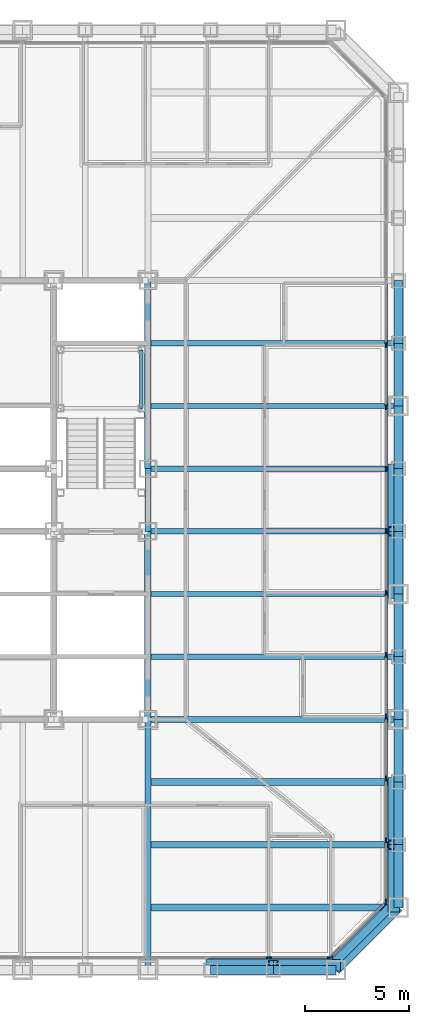
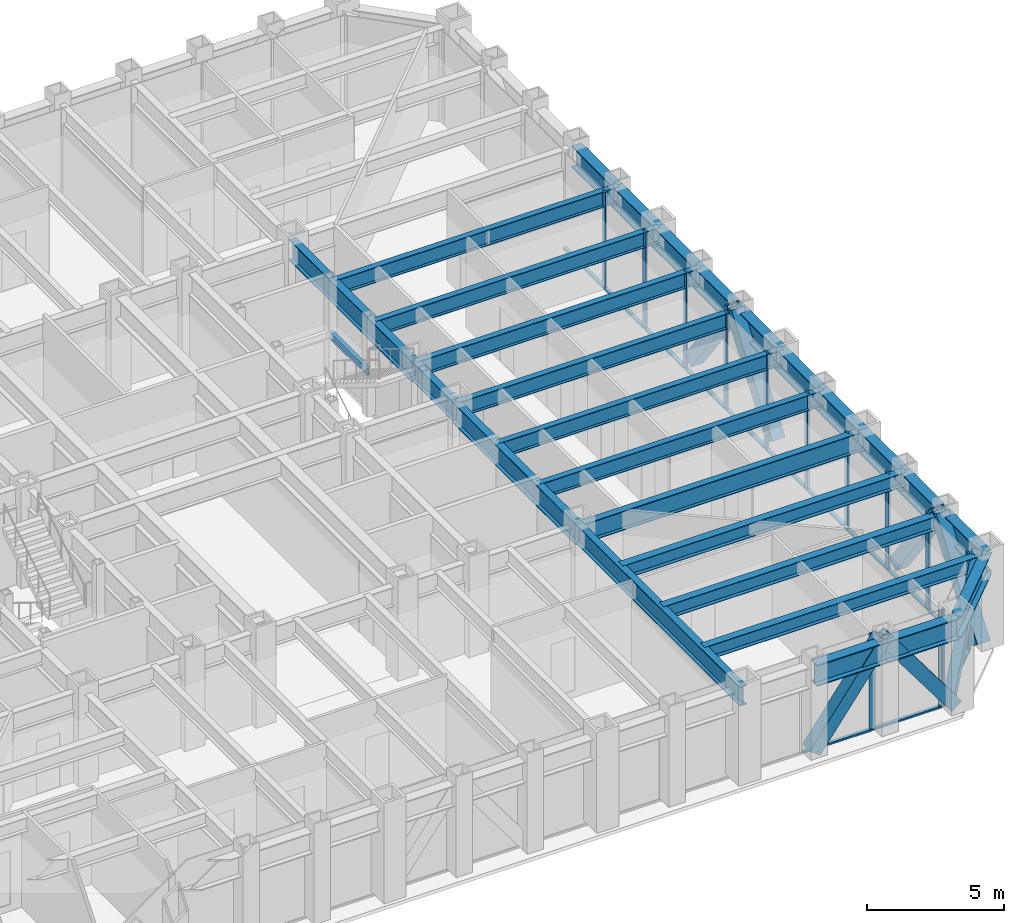
# One storey, part 4 of 17: 34 members, 28 beams, 3 elements without a shape of their own.
"""IFC4 building model written with IfcOpenShell, lengths in metres."""

from ifc_helpers import new_model, si_unit, direction, frame, origin, origin_2d, place, context, subcontext, project, spatial, rectangle, hollow_rectangle, i_section, extrude, material, layer, layer_set, material_profile, profile_set, type_object, element, aggregate, save


model = new_model("IFC4")

# Units and contexts
model_context = context("Model", 3, precision=1e-05, world=origin(), true_north=direction((0.0, 1.0)))
body_context = subcontext(model_context, "Body", "Model", "MODEL_VIEW")
ifc_project = project(units=[si_unit("LENGTHUNIT", "METRE"), si_unit("AREAUNIT", "SQUARE_METRE"), si_unit("VOLUMEUNIT", "CUBIC_METRE"), si_unit("PLANEANGLEUNIT", "RADIAN"), si_unit("MASSUNIT", "GRAM", prefix="KILO")], contexts=[model_context])

# Site, building, storey
site_placement = place(None, origin())
site = spatial("IfcSite", under=ifc_project, at=site_placement, CompositionType="ELEMENT")
building_placement = place(site_placement, origin())
building = spatial("IfcBuilding", under=site, at=building_placement, Name="Chuquiago Exchange Tower", CompositionType="ELEMENT")
storey_placement = place(building_placement, frame((0.0, 0.0, 46.800048828125)))
storey = spatial("IfcBuildingStorey", under=building, at=storey_placement, Name="L09", CompositionType="ELEMENT", Elevation=46.800048828125)

# Beams
ifc_material_1 = material(Name="Steel ASTM A992", Category="steel")
ifc_material_profile_1 = material_profile(ifc_material_1, i_section(OverallWidth=0.307373046875, OverallDepth=0.927001953125, WebThickness=0.01953125, FlangeThickness=0.031982421875, at=origin_2d()), Name="W36X194")
ifc_profile_set_1 = profile_set([ifc_material_profile_1], Name="Steel ASTM A992")
beam_type_1 = type_object("IfcBeamType", Name="B10 W36X194", PredefinedType="BEAM", material=ifc_profile_set_1)
for number, where, z_axis, x_axis, name in (
    (1, (33.0, 12.0, 3.576416015625), (0.0, 1.0, 0.0), (-1.0, 0.0, 0.0), "CB-L10-33_12-33_21"),
    (2, (33.0, 24.0, 3.576416015625), (0.0, 1.0, 0.0), (-1.0, 0.0, 0.0), "CB-L10-33_24-33_33"),
):
    element("IfcBeam", number, at=place(storey_placement, frame(where, z_axis=z_axis, x_axis=x_axis)), inside=storey, type_object=beam_type_1, Name=name, PredefinedType="BEAM", context=body_context, shape_type="SweptSolid", body=[
        extrude(i_section(OverallWidth=0.307373046875, OverallDepth=0.927001953125, WebThickness=0.01953125, FlangeThickness=0.031982421875, at=origin_2d()), origin(), (0.0, 0.0, 1.0), 9.0),
    ])
ifc_material_2 = material(Name="Steel ASTM A992", Category="steel")
ifc_material_profile_2 = material_profile(ifc_material_2, i_section(OverallWidth=0.2919921875, OverallDepth=0.8583984375, WebThickness=0.01708984375, FlangeThickness=0.031005859375, at=origin_2d()), Name="W33X169")
ifc_profile_set_2 = profile_set([ifc_material_profile_2], Name="Steel ASTM A992")
beam_type_2 = type_object("IfcBeamType", Name="B3 W33X169", PredefinedType="BEAM", material=ifc_profile_set_2)
beam_1_placement = place(storey_placement, frame((33.0, 21.0, 3.610595703125), z_axis=(0.0, 1.0, 0.0), x_axis=(-1.0, 0.0, 0.0)))
element("IfcBeam", 3, at=beam_1_placement, inside=storey, type_object=beam_type_2, Name="CB-L10-33_21-33_24", PredefinedType="BEAM", context=body_context, shape_type="SweptSolid", body=[
    extrude(i_section(OverallWidth=0.2919921875, OverallDepth=0.8583984375, WebThickness=0.01708984375, FlangeThickness=0.031005859375, at=origin_2d()), origin(), (0.0, 0.0, 1.0), 3.0),
])
ifc_material_3 = material(Name="Steel ASTM A992", Category="steel")
ifc_material_profile_3 = material_profile(ifc_material_3, i_section(OverallWidth=0.256591796875, OverallDepth=0.693359375, WebThickness=0.014404296875, FlangeThickness=0.023681640625, at=origin_2d()), Name="W27X114")
ifc_profile_set_3 = profile_set([ifc_material_profile_3], Name="Steel ASTM A992")
beam_type_3 = type_object("IfcBeamType", Name="B4 W27X114", PredefinedType="BEAM", material=ifc_profile_set_3)
for number, where, z_axis, x_axis, name in (
    (4, (33.0, 15.0, 3.693359375), (1.0, 0.0, 0.0), (0.0, 1.0, 0.0), "FB-L10-infill-33_15-45_15-0"),
    (5, (33.0, 18.0, 3.693359375), (1.0, 0.0, 0.0), (0.0, 1.0, 0.0), "FB-L10-infill-33_18-45_18-0"),
    (6, (33.0, 21.0, 3.693359375), (1.0, 0.0, 0.0), (0.0, 1.0, 0.0), "FB-L10-infill-33_21-45_21-0"),
    (7, (33.0, 24.0, 3.693359375), (1.0, 0.0, 0.0), (0.0, 1.0, 0.0), "FB-L10-infill-33_24-45_24-0"),
    (8, (33.0, 27.0, 3.693359375), (1.0, 0.0, 0.0), (0.0, 1.0, 0.0), "FB-L10-infill-33_27-45_27-0"),
    (9, (33.0, 30.0, 3.693359375), (1.0, 0.0, 0.0), (0.0, 1.0, 0.0), "FB-L10-infill-33_30-45_30-0"),
):
    element("IfcBeam", number, at=place(storey_placement, frame(where, z_axis=z_axis, x_axis=x_axis)), inside=storey, type_object=beam_type_3, Name=name, PredefinedType="BEAM", context=body_context, shape_type="SweptSolid", body=[
        extrude(i_section(OverallWidth=0.256591796875, OverallDepth=0.693359375, WebThickness=0.014404296875, FlangeThickness=0.023681640625, at=origin_2d()), origin(), (0.0, 0.0, 1.0), 12.0),
    ])
ifc_material_4 = material(Name="Steel ASTM A992", Category="steel")
ifc_material_profile_4 = material_profile(ifc_material_4, i_section(OverallWidth=0.3251953125, OverallDepth=0.6171875, WebThickness=0.013916015625, FlangeThickness=0.021484375, at=origin_2d()), Name="W24X117")
ifc_profile_set_4 = profile_set([ifc_material_profile_4], Name="Steel ASTM A992")
beam_type_4 = type_object("IfcBeamType", Name="B5 W24X117", PredefinedType="BEAM", material=ifc_profile_set_4)
for number, where, z_axis, x_axis, name in (
    (10, (33.0, 3.0, 3.7314453125), (1.0, 0.0, 0.0), (0.0, 1.0, 0.0), "FB-L10-corner-33_3-45_3-0"),
    (11, (33.0, 6.0, 3.7314453125), (1.0, 0.0, 0.0), (0.0, 1.0, 0.0), "FB-L10-corner-33_6-45_6-0"),
    (12, (33.0, 9.0, 3.7314453125), (1.0, 0.0, 0.0), (0.0, 1.0, 0.0), "FB-L10-corner-33_9-45_9-0"),
):
    element("IfcBeam", number, at=place(storey_placement, frame(where, z_axis=z_axis, x_axis=x_axis)), inside=storey, type_object=beam_type_4, Name=name, PredefinedType="BEAM", context=body_context, shape_type="SweptSolid", body=[
        extrude(i_section(OverallWidth=0.3251953125, OverallDepth=0.6171875, WebThickness=0.013916015625, FlangeThickness=0.021484375, at=origin_2d()), origin(), (0.0, 0.0, 1.0), 12.0),
    ])

# Curtain wall, members
ifc_material_5 = material(Name="Aluminium curtain wall system", Category="aluminium")
ifc_layer_1 = layer(ifc_material_5, 0.25)
ifc_layer_set_1 = layer_set([ifc_layer_1], Name="CW1 trading floor curtain wall")
curtain_wall_type_1 = type_object("IfcCurtainWallType", Name="CW1 trading floor curtain wall", PredefinedType="NOTDEFINED", material=ifc_layer_set_1)
curtain_wall_1_placement = place(storey_placement, origin())
curtain_wall_1 = element("IfcCurtainWall", 13, at=curtain_wall_1_placement, inside=storey, type_object=curtain_wall_type_1, Name="CW1 curtain wall L09", PredefinedType="NOTDEFINED")
ifc_material_6 = material(Name="Aluminium mullion, pale anodised", Category="aluminium")
ifc_material_profile_5 = material_profile(ifc_material_6, rectangle(XDim=0.074951171875, YDim=0.25, at=origin_2d()), Name="AL 75x250")
ifc_profile_set_5 = profile_set([ifc_material_profile_5], Name="Aluminium mullion, pale anodised")
member_type_1 = type_object("IfcMemberType", Name="CW1-M mullion 75x250", PredefinedType="MULLION", material=ifc_profile_set_5)
member_1_placement = place(storey_placement, frame((38.789794921875, 0.60009765625, -0.300048828125), z_axis=(0.0, 0.0, 1.0), x_axis=(0.0, 1.0, 0.0)))
member_1 = element("IfcMember", 14, at=member_1_placement, type_object=member_type_1, Name="CW1 mullion 13", PredefinedType="MULLION", context=body_context, shape_type="SweptSolid", body=[
    extrude(rectangle(XDim=0.074951171875, YDim=0.25, at=origin_2d()), origin(), (0.0, 0.0, 1.0), 4.340087890625),
])
member_2_placement = place(storey_placement, frame((41.714111328125, 0.60009765625, -0.300048828125), z_axis=(0.0, 0.0, 1.0), x_axis=(0.0, 1.0, 0.0)))
member_2 = element("IfcMember", 15, at=member_2_placement, type_object=member_type_1, Name="CW1 mullion 14", PredefinedType="MULLION", context=body_context, shape_type="SweptSolid", body=[
    extrude(rectangle(XDim=0.074951171875, YDim=0.25, at=origin_2d()), origin(), (0.0, 0.0, 1.0), 4.340087890625),
])

curtain_wall_2_placement = place(storey_placement, origin())
curtain_wall_2 = element("IfcCurtainWall", 16, at=curtain_wall_2_placement, inside=storey, type_object=curtain_wall_type_1, Name="CW1 curtain wall L09", PredefinedType="NOTDEFINED")
member_3_placement = place(storey_placement, frame((44.39990234375, 3.285888671875, -0.300048828125), z_axis=(0.0, 0.0, 1.0), x_axis=(-1.0, 0.0, 0.0)))
member_3 = element("IfcMember", 17, at=member_3_placement, type_object=member_type_1, Name="CW1 mullion 1", PredefinedType="MULLION", context=body_context, shape_type="SweptSolid", body=[
    extrude(rectangle(XDim=0.074951171875, YDim=0.25, at=origin_2d()), origin(), (0.0, 0.0, 1.0), 4.340087890625),
])
member_4_placement = place(storey_placement, frame((44.39990234375, 6.210205078125, -0.300048828125), z_axis=(0.0, 0.0, 1.0), x_axis=(-1.0, 0.0, 0.0)))
member_4 = element("IfcMember", 18, at=member_4_placement, type_object=member_type_1, Name="CW1 mullion 2", PredefinedType="MULLION", context=body_context, shape_type="SweptSolid", body=[
    extrude(rectangle(XDim=0.074951171875, YDim=0.25, at=origin_2d()), origin(), (0.0, 0.0, 1.0), 4.340087890625),
])
member_5_placement = place(storey_placement, frame((44.39990234375, 9.172119140625, -0.300048828125), z_axis=(0.0, 0.0, 1.0), x_axis=(-1.0, 0.0, 0.0)))
member_5 = element("IfcMember", 19, at=member_5_placement, type_object=member_type_1, Name="CW1 mullion 3", PredefinedType="MULLION", context=body_context, shape_type="SweptSolid", body=[
    extrude(rectangle(XDim=0.074951171875, YDim=0.25, at=origin_2d()), origin(), (0.0, 0.0, 1.0), 4.340087890625),
])
member_6_placement = place(storey_placement, frame((44.39990234375, 12.1337890625, -0.300048828125), z_axis=(0.0, 0.0, 1.0), x_axis=(-1.0, 0.0, 0.0)))
member_6 = element("IfcMember", 20, at=member_6_placement, type_object=member_type_1, Name="CW1 mullion 4", PredefinedType="MULLION", context=body_context, shape_type="SweptSolid", body=[
    extrude(rectangle(XDim=0.074951171875, YDim=0.25, at=origin_2d()), origin(), (0.0, 0.0, 1.0), 4.340087890625),
])
member_7_placement = place(storey_placement, frame((44.39990234375, 15.095458984375, -0.300048828125), z_axis=(0.0, 0.0, 1.0), x_axis=(-1.0, 0.0, 0.0)))
member_7 = element("IfcMember", 21, at=member_7_placement, type_object=member_type_1, Name="CW1 mullion 5", PredefinedType="MULLION", context=body_context, shape_type="SweptSolid", body=[
    extrude(rectangle(XDim=0.074951171875, YDim=0.25, at=origin_2d()), origin(), (0.0, 0.0, 1.0), 4.340087890625),
])
member_8_placement = place(storey_placement, frame((44.39990234375, 18.057373046875, -0.300048828125), z_axis=(0.0, 0.0, 1.0), x_axis=(-1.0, 0.0, 0.0)))
member_8 = element("IfcMember", 22, at=member_8_placement, type_object=member_type_1, Name="CW1 mullion 6", PredefinedType="MULLION", context=body_context, shape_type="SweptSolid", body=[
    extrude(rectangle(XDim=0.074951171875, YDim=0.25, at=origin_2d()), origin(), (0.0, 0.0, 1.0), 4.340087890625),
])
member_9_placement = place(storey_placement, frame((44.39990234375, 21.01904296875, -0.300048828125), z_axis=(0.0, 0.0, 1.0), x_axis=(-1.0, 0.0, 0.0)))
member_9 = element("IfcMember", 23, at=member_9_placement, type_object=member_type_1, Name="CW1 mullion 7", PredefinedType="MULLION", context=body_context, shape_type="SweptSolid", body=[
    extrude(rectangle(XDim=0.074951171875, YDim=0.25, at=origin_2d()), origin(), (0.0, 0.0, 1.0), 4.340087890625),
])
member_10_placement = place(storey_placement, frame((44.39990234375, 23.98095703125, -0.300048828125), z_axis=(0.0, 0.0, 1.0), x_axis=(-1.0, 0.0, 0.0)))
member_10 = element("IfcMember", 24, at=member_10_placement, type_object=member_type_1, Name="CW1 mullion 8", PredefinedType="MULLION", context=body_context, shape_type="SweptSolid", body=[
    extrude(rectangle(XDim=0.074951171875, YDim=0.25, at=origin_2d()), origin(), (0.0, 0.0, 1.0), 4.340087890625),
])
member_11_placement = place(storey_placement, frame((44.39990234375, 26.942626953125, -0.300048828125), z_axis=(0.0, 0.0, 1.0), x_axis=(-1.0, 0.0, 0.0)))
member_11 = element("IfcMember", 25, at=member_11_placement, type_object=member_type_1, Name="CW1 mullion 9", PredefinedType="MULLION", context=body_context, shape_type="SweptSolid", body=[
    extrude(rectangle(XDim=0.074951171875, YDim=0.25, at=origin_2d()), origin(), (0.0, 0.0, 1.0), 4.340087890625),
])
member_12_placement = place(storey_placement, frame((44.39990234375, 29.904541015625, -0.300048828125), z_axis=(0.0, 0.0, 1.0), x_axis=(-1.0, 0.0, 0.0)))
member_12 = element("IfcMember", 26, at=member_12_placement, type_object=member_type_1, Name="CW1 mullion 10", PredefinedType="MULLION", context=body_context, shape_type="SweptSolid", body=[
    extrude(rectangle(XDim=0.074951171875, YDim=0.25, at=origin_2d()), origin(), (0.0, 0.0, 1.0), 4.340087890625),
])

# Member
ifc_material_7 = material(Name="Aluminium transom, pale anodised", Category="aluminium")
ifc_material_profile_6 = material_profile(ifc_material_7, rectangle(XDim=0.14990234375, YDim=0.074951171875, at=origin_2d()), Name="AL 150x75")
ifc_profile_set_6 = profile_set([ifc_material_profile_6], Name="Aluminium transom, pale anodised")
member_type_2 = type_object("IfcMemberType", Name="CW1-T transom 75x150", PredefinedType="MULLION", material=ifc_profile_set_6)
member_13_placement = place(storey_placement, frame((35.865478515625, 0.60009765625, -0.262451171875), z_axis=(1.0, 0.0, 0.0), x_axis=(0.0, 1.0, 0.0)))
member_13 = element("IfcMember", 27, at=member_13_placement, type_object=member_type_2, Name="CW1 transom 12.1", PredefinedType="MULLION", context=body_context, shape_type="SweptSolid", body=[
    extrude(rectangle(XDim=0.14990234375, YDim=0.074951171875, at=origin_2d()), origin(), (0.0, 0.0, 1.0), 2.88671875),
])

member_14_placement = place(storey_placement, frame((38.8271484375, 0.60009765625, -0.262451171875), z_axis=(1.0, 0.0, 0.0), x_axis=(0.0, 1.0, 0.0)))
member_14 = element("IfcMember", 28, at=member_14_placement, type_object=member_type_2, Name="CW1 transom 13.1", PredefinedType="MULLION", context=body_context, shape_type="SweptSolid", body=[
    extrude(rectangle(XDim=0.14990234375, YDim=0.074951171875, at=origin_2d()), origin(), (0.0, 0.0, 1.0), 2.849365234375),
])

aggregate(curtain_wall_1, [member_1, member_2, member_13, member_14])

member_15_placement = place(storey_placement, frame((44.39990234375, 3.323486328125, -0.262451171875), z_axis=(0.0, 1.0, 0.0), x_axis=(-1.0, 0.0, 0.0)))
member_15 = element("IfcMember", 29, at=member_15_placement, type_object=member_type_2, Name="CW1 transom 1.1", PredefinedType="MULLION", context=body_context, shape_type="SweptSolid", body=[
    extrude(rectangle(XDim=0.14990234375, YDim=0.074951171875, at=origin_2d()), origin(), (0.0, 0.0, 1.0), 2.849365234375),
])

member_16_placement = place(storey_placement, frame((44.39990234375, 6.247802734375, -0.262451171875), z_axis=(0.0, 1.0, 0.0), x_axis=(-1.0, 0.0, 0.0)))
member_16 = element("IfcMember", 30, at=member_16_placement, type_object=member_type_2, Name="CW1 transom 2.1", PredefinedType="MULLION", context=body_context, shape_type="SweptSolid", body=[
    extrude(rectangle(XDim=0.14990234375, YDim=0.074951171875, at=origin_2d()), origin(), (0.0, 0.0, 1.0), 2.88671875),
])

member_17_placement = place(storey_placement, frame((44.39990234375, 9.20947265625, -0.262451171875), z_axis=(0.0, 1.0, 0.0), x_axis=(-1.0, 0.0, 0.0)))
member_17 = element("IfcMember", 31, at=member_17_placement, type_object=member_type_2, Name="CW1 transom 3.1", PredefinedType="MULLION", context=body_context, shape_type="SweptSolid", body=[
    extrude(rectangle(XDim=0.14990234375, YDim=0.074951171875, at=origin_2d()), origin(), (0.0, 0.0, 1.0), 2.88671875),
])

member_18_placement = place(storey_placement, frame((44.39990234375, 12.17138671875, -0.262451171875), z_axis=(0.0, 1.0, 0.0), x_axis=(-1.0, 0.0, 0.0)))
member_18 = element("IfcMember", 32, at=member_18_placement, type_object=member_type_2, Name="CW1 transom 4.1", PredefinedType="MULLION", context=body_context, shape_type="SweptSolid", body=[
    extrude(rectangle(XDim=0.14990234375, YDim=0.074951171875, at=origin_2d()), origin(), (0.0, 0.0, 1.0), 2.88671875),
])

member_19_placement = place(storey_placement, frame((44.39990234375, 15.133056640625, -0.262451171875), z_axis=(0.0, 1.0, 0.0), x_axis=(-1.0, 0.0, 0.0)))
member_19 = element("IfcMember", 33, at=member_19_placement, type_object=member_type_2, Name="CW1 transom 5.1", PredefinedType="MULLION", context=body_context, shape_type="SweptSolid", body=[
    extrude(rectangle(XDim=0.14990234375, YDim=0.074951171875, at=origin_2d()), origin(), (0.0, 0.0, 1.0), 2.88671875),
])

member_20_placement = place(storey_placement, frame((44.39990234375, 18.0947265625, -0.262451171875), z_axis=(0.0, 1.0, 0.0), x_axis=(-1.0, 0.0, 0.0)))
member_20 = element("IfcMember", 34, at=member_20_placement, type_object=member_type_2, Name="CW1 transom 6.1", PredefinedType="MULLION", context=body_context, shape_type="SweptSolid", body=[
    extrude(rectangle(XDim=0.14990234375, YDim=0.074951171875, at=origin_2d()), origin(), (0.0, 0.0, 1.0), 2.886962890625),
])

member_21_placement = place(storey_placement, frame((44.39990234375, 21.056640625, -0.262451171875), z_axis=(0.0, 1.0, 0.0), x_axis=(-1.0, 0.0, 0.0)))
member_21 = element("IfcMember", 35, at=member_21_placement, type_object=member_type_2, Name="CW1 transom 7.1", PredefinedType="MULLION", context=body_context, shape_type="SweptSolid", body=[
    extrude(rectangle(XDim=0.14990234375, YDim=0.074951171875, at=origin_2d()), origin(), (0.0, 0.0, 1.0), 2.88671875),
])

member_22_placement = place(storey_placement, frame((44.39990234375, 24.018310546875, -0.262451171875), z_axis=(0.0, 1.0, 0.0), x_axis=(-1.0, 0.0, 0.0)))
member_22 = element("IfcMember", 36, at=member_22_placement, type_object=member_type_2, Name="CW1 transom 8.1", PredefinedType="MULLION", context=body_context, shape_type="SweptSolid", body=[
    extrude(rectangle(XDim=0.14990234375, YDim=0.074951171875, at=origin_2d()), origin(), (0.0, 0.0, 1.0), 2.886962890625),
])

member_23_placement = place(storey_placement, frame((44.39990234375, 26.980224609375, -0.262451171875), z_axis=(0.0, 1.0, 0.0), x_axis=(-1.0, 0.0, 0.0)))
member_23 = element("IfcMember", 37, at=member_23_placement, type_object=member_type_2, Name="CW1 transom 9.1", PredefinedType="MULLION", context=body_context, shape_type="SweptSolid", body=[
    extrude(rectangle(XDim=0.14990234375, YDim=0.074951171875, at=origin_2d()), origin(), (0.0, 0.0, 1.0), 2.88671875),
])

member_24_placement = place(storey_placement, frame((44.39990234375, 29.94189453125, -0.262451171875), z_axis=(0.0, 1.0, 0.0), x_axis=(-1.0, 0.0, 0.0)))
member_24 = element("IfcMember", 38, at=member_24_placement, type_object=member_type_2, Name="CW1 transom 10.1", PredefinedType="MULLION", context=body_context, shape_type="SweptSolid", body=[
    extrude(rectangle(XDim=0.14990234375, YDim=0.074951171875, at=origin_2d()), origin(), (0.0, 0.0, 1.0), 2.88671875),
])

aggregate(curtain_wall_2, [member_3, member_4, member_5, member_6, member_7, member_8, member_9, member_10, member_11, member_12, member_15, member_16, member_17, member_18, member_19, member_20, member_21, member_22, member_23, member_24])

# Curtain wall, members
ifc_material_8 = material(Name="Aluminium curtain wall system", Category="aluminium")
ifc_layer_2 = layer(ifc_material_8, 0.199951171875)
ifc_layer_set_2 = layer_set([ifc_layer_2], Name="CW3 facet curtain wall")
curtain_wall_type_2 = type_object("IfcCurtainWallType", Name="CW3 facet curtain wall", PredefinedType="NOTDEFINED", material=ifc_layer_set_2)
curtain_wall_3_placement = place(storey_placement, origin())
curtain_wall_3 = element("IfcCurtainWall", 39, at=curtain_wall_3_placement, inside=storey, type_object=curtain_wall_type_2, Name="CW3 curtain wall L09", PredefinedType="NOTDEFINED")
ifc_material_9 = material(Name="Aluminium mullion, pale anodised", Category="aluminium")
ifc_material_profile_7 = material_profile(ifc_material_9, rectangle(XDim=0.06494140625, YDim=0.199951171875, at=origin_2d()), Name="AL 65x200")
ifc_profile_set_7 = profile_set([ifc_material_profile_7], Name="Aluminium mullion, pale anodised")
member_type_3 = type_object("IfcMemberType", Name="CW3-M mullion 65x200", PredefinedType="MULLION", material=ifc_profile_set_7)
member_25_placement = place(storey_placement, frame((41.7744140625, 0.623046875, -0.300048828125), z_axis=(0.0, 0.0, 1.0), x_axis=(-0.707106781187, 0.707106781187, 0.0)))
member_25 = element("IfcMember", 40, at=member_25_placement, type_object=member_type_3, Name="CW3 mullion 1", PredefinedType="MULLION", context=body_context, shape_type="SweptSolid", body=[
    extrude(rectangle(XDim=0.06494140625, YDim=0.199951171875, at=origin_2d()), origin(), (0.0, 0.0, 1.0), 4.340087890625),
])
member_26_placement = place(storey_placement, frame((44.376953125, 3.2255859375, -0.300048828125), z_axis=(0.0, 0.0, 1.0), x_axis=(-0.707106781187, 0.707106781187, 0.0)))
member_26 = element("IfcMember", 41, at=member_26_placement, type_object=member_type_3, Name="CW3 mullion 2", PredefinedType="MULLION", context=body_context, shape_type="SweptSolid", body=[
    extrude(rectangle(XDim=0.06494140625, YDim=0.199951171875, at=origin_2d()), origin(), (0.0, 0.0, 1.0), 4.340087890625),
])
ifc_material_10 = material(Name="Aluminium transom, pale anodised", Category="aluminium")
ifc_material_profile_8 = material_profile(ifc_material_10, rectangle(XDim=0.139892578125, YDim=0.06494140625, at=origin_2d()), Name="AL 140x65")
ifc_profile_set_8 = profile_set([ifc_material_profile_8], Name="Aluminium transom, pale anodised")
member_type_4 = type_object("IfcMemberType", Name="CW3-T transom 65x140", PredefinedType="MULLION", material=ifc_profile_set_8)
member_27_placement = place(storey_placement, frame((41.79736328125, 0.64599609375, -0.267578125), z_axis=(0.707106781187, 0.707106781187, 0.0), x_axis=(-0.707106781187, 0.707106781187, 0.0)))
member_27 = element("IfcMember", 42, at=member_27_placement, type_object=member_type_4, Name="CW3 transom 1.1", PredefinedType="MULLION", context=body_context, shape_type="SweptSolid", body=[
    extrude(rectangle(XDim=0.139892578125, YDim=0.06494140625, at=origin_2d()), origin(), (0.0, 0.0, 1.0), 3.61572265625),
])
aggregate(curtain_wall_3, [member_25, member_26, member_27])

# Beams
ifc_material_11 = material(Name="Steel ASTM A992", Category="steel")
ifc_material_profile_9 = material_profile(ifc_material_11, i_section(OverallWidth=0.2919921875, OverallDepth=0.8583984375, WebThickness=0.01708984375, FlangeThickness=0.031005859375, at=origin_2d()), Name="W33X169")
ifc_profile_set_9 = profile_set([ifc_material_profile_9], Name="Steel ASTM A992")
beam_type_5 = type_object("IfcBeamType", Name="G2 W33X169", PredefinedType="BEAM", material=ifc_profile_set_9)
for number, where, z_axis, x_axis, name in (
    (43, (33.0, 12.0, 3.610595703125), (0.0, -1.0, 0.0), (1.0, 0.0, 0.0), "FB-L10-girder-33_12-33_-0-0"),
    (44, (33.0, 12.0, 3.610595703125), (1.0, 0.0, 0.0), (0.0, 1.0, 0.0), "FB-L10-girder-33_12-45_12-0"),
):
    element("IfcBeam", number, at=place(storey_placement, frame(where, z_axis=z_axis, x_axis=x_axis)), inside=storey, type_object=beam_type_5, Name=name, PredefinedType="BEAM", context=body_context, shape_type="SweptSolid", body=[
        extrude(i_section(OverallWidth=0.2919921875, OverallDepth=0.8583984375, WebThickness=0.01708984375, FlangeThickness=0.031005859375, at=origin_2d()), origin(), (0.0, 0.0, 1.0), 12.0),
    ])

# Member
ifc_material_12 = material(Name="Steel ASTM A500 Grade C", Category="steel")
ifc_material_profile_10 = material_profile(ifc_material_12, hollow_rectangle(XDim=0.406494140625, YDim=0.406494140625, WallThickness=0.0146484375, at=origin_2d()), Name="HSS16X16X5/8")
ifc_profile_set_10 = profile_set([ifc_material_profile_10], Name="Steel ASTM A500 Grade C")
member_type_5 = type_object("IfcMemberType", Name="LB4 HSS16X16X5/8", PredefinedType="BRACE", material=ifc_profile_set_10)
member_28_placement = place(storey_placement, frame((41.78662109375, 0.21337890625, 0.0), z_axis=(0.512077265487, 0.512077265487, 0.689604051861), x_axis=(-0.707106781187, 0.707106781187, 0.0)))
element("IfcMember", 45, at=member_28_placement, inside=storey, type_object=member_type_5, Name="LB-L09-42_0-45_3", PredefinedType="BRACE", context=body_context, shape_type="SweptSolid", body=[
    extrude(hollow_rectangle(XDim=0.406494140625, YDim=0.406494140625, WallThickness=0.0146484375, at=origin_2d()), origin(), (0.0, 0.0, 1.0), 5.8583984375),
])

# Beam
ifc_material_13 = material(Name="Steel ASTM A992", Category="steel")
ifc_material_profile_11 = material_profile(ifc_material_13, i_section(OverallWidth=0.164794921875, OverallDepth=0.309814453125, WebThickness=0.005859375, FlangeThickness=0.009765625, at=origin_2d()), Name="W12X26")
ifc_profile_set_11 = profile_set([ifc_material_profile_11], Name="Steel ASTM A992")
beam_type_6 = type_object("IfcBeamType", Name="LS1 W12X26", PredefinedType="BEAM", material=ifc_profile_set_11)
beam_2_placement = place(storey_placement, frame((32.68994140625, 26.889892578125, 1.89501953125), z_axis=(0.0, 1.0, 0.0), x_axis=(-1.0, 0.0, 0.0)))
element("IfcBeam", 46, at=beam_2_placement, inside=storey, type_object=beam_type_6, Name="Stair ST2 L09 landing 1 stringer", PredefinedType="BEAM", context=body_context, shape_type="SweptSolid", body=[
    extrude(i_section(OverallWidth=0.164794921875, OverallDepth=0.309814453125, WebThickness=0.005859375, FlangeThickness=0.009765625, at=origin_2d()), origin(), (0.0, 0.0, 1.0), 2.800048828125),
])

# Members
ifc_material_14 = material(Name="Steel ASTM A572 Grade 50", Category="steel")
ifc_material_profile_12 = material_profile(ifc_material_14, hollow_rectangle(XDim=0.550048828125, YDim=0.550048828125, WallThickness=0.044921875, at=origin_2d()), Name="BOX550X550X45")
ifc_profile_set_12 = profile_set([ifc_material_profile_12], Name="Steel ASTM A572 Grade 50")
member_type_6 = type_object("IfcMemberType", Name="MB1 BOX550X550X45", PredefinedType="BRACE", material=ifc_profile_set_12)
for number, where, z_axis, x_axis, name in (
    (47, (36.0, 0.22998046875, 0.0), (0.596173923302, 0.0, 0.802855312728), (0.0, 1.0, 0.0), "Mega diagonal L09 S face"),
    (48, (42.0, 0.22998046875, 0.0), (-0.596173923302, 0.0, 0.802855312728), (0.0, -1.0, 0.0), "Mega diagonal L09 S face"),
    (49, (44.77001953125, 3.0, 0.0), (0.0, 0.596173923302, 0.802855312728), (-1.0, 0.0, 0.0), "Mega diagonal L09 E face"),
    (50, (44.77001953125, 9.0, 0.0), (0.0, -0.596173923302, 0.802855312728), (1.0, 0.0, 0.0), "Mega diagonal L09 E face"),
    (51, (44.77001953125, 18.0, 0.0), (0.0, 0.596173923302, 0.802855312728), (-1.0, 0.0, 0.0), "Mega diagonal L09 E face"),
    (52, (44.77001953125, 24.0, 0.0), (0.0, -0.596173923302, 0.802855312728), (1.0, 0.0, 0.0), "Mega diagonal L09 E face"),
):
    element("IfcMember", number, at=place(storey_placement, frame(where, z_axis=z_axis, x_axis=x_axis)), inside=storey, type_object=member_type_6, Name=name, PredefinedType="BRACE", context=body_context, shape_type="SweptSolid", body=[
        extrude(hollow_rectangle(XDim=0.550048828125, YDim=0.550048828125, WallThickness=0.044921875, at=origin_2d()), origin(), (0.0, 0.0, 1.0), 5.031982421875),
    ])

# Beams
ifc_material_15 = material(Name="Steel ASTM A992", Category="steel")
ifc_material_profile_13 = material_profile(ifc_material_15, i_section(OverallWidth=0.424072265625, OverallDepth=0.947509765625, WebThickness=0.02392578125, FlangeThickness=0.042724609375, at=origin_2d()), Name="W36X302")
ifc_profile_set_13 = profile_set([ifc_material_profile_13], Name="Steel ASTM A992")
beam_type_7 = type_object("IfcBeamType", Name="SP1 W36X302", PredefinedType="SPANDREL", material=ifc_profile_set_13)
for number, where, z_axis, x_axis, name in (
    (53, (36.0, 0.0, 3.566162109375), (1.0, 0.0, 0.0), (0.0, 1.0, 0.0), "SPB-L10-36_0-39_0"),
    (54, (39.0, 0.0, 3.566162109375), (1.0, 0.0, 0.0), (0.0, 1.0, 0.0), "SPB-L10-39_0-42_0"),
):
    element("IfcBeam", number, at=place(storey_placement, frame(where, z_axis=z_axis, x_axis=x_axis)), inside=storey, type_object=beam_type_7, Name=name, PredefinedType="SPANDREL", context=body_context, shape_type="SweptSolid", body=[
        extrude(i_section(OverallWidth=0.424072265625, OverallDepth=0.947509765625, WebThickness=0.02392578125, FlangeThickness=0.042724609375, at=origin_2d()), origin(), (0.0, 0.0, 1.0), 3.0),
    ])
beam_3_placement = place(storey_placement, frame((42.0, 0.0, 3.566162109375), z_axis=(0.707106781187, 0.707106781187, 0.0), x_axis=(-0.707106781187, 0.707106781187, 0.0)))
element("IfcBeam", 55, at=beam_3_placement, inside=storey, type_object=beam_type_7, Name="SPB-L10-42_0-45_3", PredefinedType="SPANDREL", context=body_context, shape_type="SweptSolid", body=[
    extrude(i_section(OverallWidth=0.424072265625, OverallDepth=0.947509765625, WebThickness=0.02392578125, FlangeThickness=0.042724609375, at=origin_2d()), origin(), (0.0, 0.0, 1.0), 4.24267578125),
])
for number, where, z_axis, x_axis, name in (
    (56, (45.0, 3.0, 3.566162109375), (0.0, 1.0, 0.0), (-1.0, 0.0, 0.0), "SPB-L10-45_3-45_6"),
    (57, (45.0, 6.0, 3.566162109375), (0.0, 1.0, 0.0), (-1.0, 0.0, 0.0), "SPB-L10-45_6-45_9"),
    (58, (45.0, 9.0, 3.566162109375), (0.0, 1.0, 0.0), (-1.0, 0.0, 0.0), "SPB-L10-45_9-45_12"),
    (59, (45.0, 12.0, 3.566162109375), (0.0, 1.0, 0.0), (-1.0, 0.0, 0.0), "SPB-L10-45_12-45_15"),
    (60, (45.0, 15.0, 3.566162109375), (0.0, 1.0, 0.0), (-1.0, 0.0, 0.0), "SPB-L10-45_15-45_18"),
    (61, (45.0, 18.0, 3.566162109375), (0.0, 1.0, 0.0), (-1.0, 0.0, 0.0), "SPB-L10-45_18-45_21"),
    (62, (45.0, 21.0, 3.566162109375), (0.0, 1.0, 0.0), (-1.0, 0.0, 0.0), "SPB-L10-45_21-45_24"),
    (63, (45.0, 24.0, 3.566162109375), (0.0, 1.0, 0.0), (-1.0, 0.0, 0.0), "SPB-L10-45_24-45_27"),
    (64, (45.0, 27.0, 3.566162109375), (0.0, 1.0, 0.0), (-1.0, 0.0, 0.0), "SPB-L10-45_27-45_30"),
    (65, (45.0, 30.0, 3.566162109375), (0.0, 1.0, 0.0), (-1.0, 0.0, 0.0), "SPB-L10-45_30-45_33"),
):
    element("IfcBeam", number, at=place(storey_placement, frame(where, z_axis=z_axis, x_axis=x_axis)), inside=storey, type_object=beam_type_7, Name=name, PredefinedType="SPANDREL", context=body_context, shape_type="SweptSolid", body=[
        extrude(i_section(OverallWidth=0.424072265625, OverallDepth=0.947509765625, WebThickness=0.02392578125, FlangeThickness=0.042724609375, at=origin_2d()), origin(), (0.0, 0.0, 1.0), 3.0),
    ])

save(model, "model.ifc")
